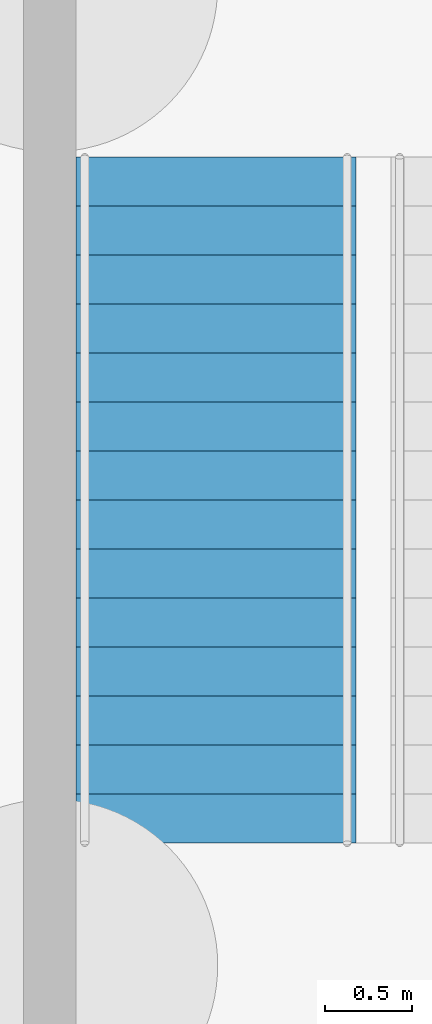
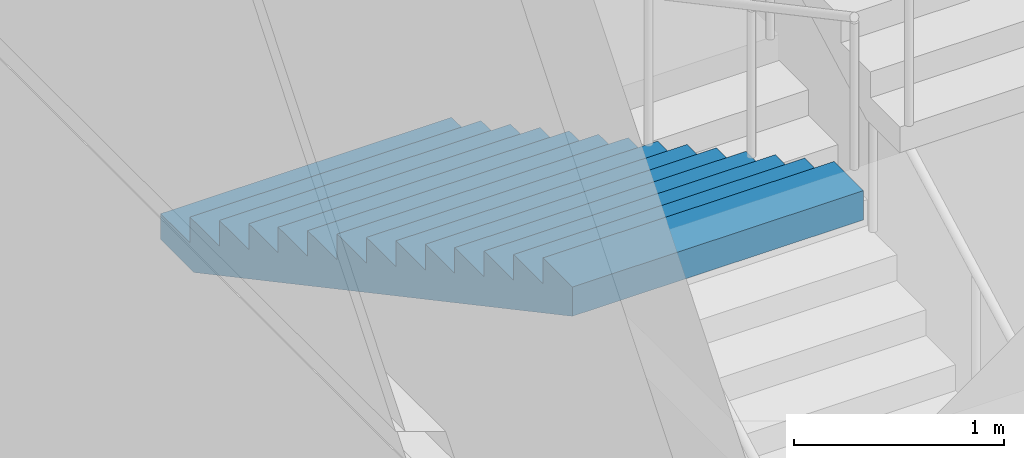
# One storey, part 92 of 113: 1 stair flight, 1 element without a shape of its own.
"""IFC4 building model written with IfcOpenShell, lengths in metres."""

from ifc_helpers import new_model, si_unit, direction, frame, origin, place, context, subcontext, project, spatial, triangles, material, type_object, element, aggregate, save


model = new_model("IFC4")

# Units and contexts
model_context = context("Model", 3, precision=1e-05, world=origin(), true_north=direction((0.0, 1.0)))
body_context = subcontext(model_context, "Body", "Model", "MODEL_VIEW")
ifc_project = project(units=[si_unit("LENGTHUNIT", "METRE"), si_unit("AREAUNIT", "SQUARE_METRE"), si_unit("VOLUMEUNIT", "CUBIC_METRE"), si_unit("PLANEANGLEUNIT", "RADIAN"), si_unit("MASSUNIT", "GRAM", prefix="KILO")], contexts=[model_context])

# Site, building, storey
site_placement = place(None, origin())
site = spatial("IfcSite", under=ifc_project, at=site_placement, CompositionType="ELEMENT")
building_placement = place(site_placement, origin())
building = spatial("IfcBuilding", under=site, at=building_placement, Name="Hakoniwa Tower and Hamabe Station Hall", CompositionType="ELEMENT")
storey_placement = place(building_placement, origin())
storey = spatial("IfcBuildingStorey", under=building, at=storey_placement, Name="L01", CompositionType="ELEMENT", Elevation=0.0)

# Stair, stair flight
ifc_material_1 = material(Name="Concrete C40", Category="concrete")
stair_type = type_object("IfcStairType", Name="STAIR 1600 15X150", PredefinedType="HALF_TURN_STAIR", material=ifc_material_1)
stair_placement = place(storey_placement, origin())
stair = element("IfcStair", 1, at=stair_placement, inside=storey, type_object=stair_type, Name="Escape stair SS1 L01", PredefinedType="HALF_TURN_STAIR")
ifc_material_2 = material(Name="Concrete C40", Category="concrete")
stair_flight_type = type_object("IfcStairFlightType", Name="STAIR FLIGHT 1600", PredefinedType="STRAIGHT", material=ifc_material_2)
stair_flight_placement = place(storey_placement, frame((87.449951171875, 20.820068359375, 2.25), z_axis=(0.0, 0.0, 1.0), x_axis=(0.0, -1.0, 0.0)))
stair_flight = element("IfcStairFlight", 2, at=stair_flight_placement, type_object=stair_flight_type, Name="SS1 flight 2", NumberOfRisers=15, NumberOfTreads=14, PredefinedType="STRAIGHT", RiserHeight=0.15, TreadLength=0.28, context=body_context, shape_type="Tessellation", body=[
    triangles([(0.0, 0.800048828125, 0.0), (0.280029296875, 0.800048828125, 0.0), (0.3173828125, 0.800048828125, 0.0), (0.56005859375, 0.800048828125, 0.1298828125), (0.840087890625, 0.800048828125, 0.280029296875), (1.1201171875, 0.800048828125, 0.429931640625), (1.39990234375, 0.800048828125, 0.579833984375), (1.679931640625, 0.800048828125, 0.72998046875), (1.9599609375, 0.800048828125, 0.8798828125), (2.239990234375, 0.800048828125, 1.030029296875), (2.52001953125, 0.800048828125, 1.179931640625), (2.800048828125, 0.800048828125, 1.329833984375), (3.080078125, 0.800048828125, 1.47998046875), (3.360107421875, 0.800048828125, 1.6298828125), (3.639892578125, 0.800048828125, 1.780029296875), (3.919921875, 0.800048828125, 1.929931640625), (3.919921875, 0.800048828125, 2.10009765625), (3.639892578125, 0.800048828125, 2.10009765625), (3.639892578125, 0.800048828125, 1.949951171875), (3.360107421875, 0.800048828125, 1.949951171875), (3.360107421875, 0.800048828125, 1.800048828125), (3.080078125, 0.800048828125, 1.800048828125), (3.080078125, 0.800048828125, 1.64990234375), (2.800048828125, 0.800048828125, 1.64990234375), (2.800048828125, 0.800048828125, 1.5), (2.52001953125, 0.800048828125, 1.5), (2.52001953125, 0.800048828125, 1.35009765625), (2.239990234375, 0.800048828125, 1.35009765625), (2.239990234375, 0.800048828125, 1.199951171875), (1.9599609375, 0.800048828125, 1.199951171875), (1.9599609375, 0.800048828125, 1.050048828125), (1.679931640625, 0.800048828125, 1.050048828125), (1.679931640625, 0.800048828125, 0.89990234375), (1.39990234375, 0.800048828125, 0.89990234375), (1.39990234375, 0.800048828125, 0.75), (1.1201171875, 0.800048828125, 0.75), (1.1201171875, 0.800048828125, 0.60009765625), (0.840087890625, 0.800048828125, 0.60009765625), (0.840087890625, 0.800048828125, 0.449951171875), (0.56005859375, 0.800048828125, 0.449951171875), (0.56005859375, 0.800048828125, 0.300048828125), (0.3173828125, 0.800048828125, 0.300048828125), (0.280029296875, 0.800048828125, 0.300048828125), (0.280029296875, 0.800048828125, 0.14990234375), (0.0, 0.800048828125, 0.14990234375), (0.0, 0.06005859375, 0.0), (0.280029296875, 0.06005859375, 0.0), (0.3173828125, 0.06005859375, 0.0), (0.56005859375, 0.06005859375, 0.1298828125), (0.840087890625, 0.06005859375, 0.280029296875), (1.1201171875, 0.06005859375, 0.429931640625), (1.39990234375, 0.06005859375, 0.579833984375), (1.679931640625, 0.06005859375, 0.72998046875), (1.9599609375, 0.06005859375, 0.8798828125), (2.239990234375, 0.06005859375, 1.030029296875), (2.52001953125, 0.06005859375, 1.179931640625), (2.800048828125, 0.06005859375, 1.329833984375), (3.080078125, 0.06005859375, 1.47998046875), (3.360107421875, 0.06005859375, 1.6298828125), (3.639892578125, 0.06005859375, 1.780029296875), (3.919921875, 0.06005859375, 1.929931640625), (3.919921875, 0.06005859375, 2.10009765625), (3.639892578125, 0.06005859375, 2.10009765625), (3.639892578125, 0.06005859375, 1.949951171875), (3.360107421875, 0.06005859375, 1.949951171875), (3.360107421875, 0.06005859375, 1.800048828125), (3.080078125, 0.06005859375, 1.800048828125), (3.080078125, 0.06005859375, 1.64990234375), (2.800048828125, 0.06005859375, 1.64990234375), (2.800048828125, 0.06005859375, 1.5), (2.52001953125, 0.06005859375, 1.5), (2.52001953125, 0.06005859375, 1.35009765625), (2.239990234375, 0.06005859375, 1.35009765625), (2.239990234375, 0.06005859375, 1.199951171875), (1.9599609375, 0.06005859375, 1.199951171875), (1.9599609375, 0.06005859375, 1.050048828125), (1.679931640625, 0.06005859375, 1.050048828125), (1.679931640625, 0.06005859375, 0.89990234375), (1.39990234375, 0.06005859375, 0.89990234375), (1.39990234375, 0.06005859375, 0.75), (1.1201171875, 0.06005859375, 0.75), (1.1201171875, 0.06005859375, 0.60009765625), (0.840087890625, 0.06005859375, 0.60009765625), (0.840087890625, 0.06005859375, 0.449951171875), (0.56005859375, 0.06005859375, 0.449951171875), (0.56005859375, 0.06005859375, 0.300048828125), (0.3173828125, 0.06005859375, 0.300048828125), (0.280029296875, 0.06005859375, 0.300048828125), (0.280029296875, 0.06005859375, 0.14990234375), (0.0, 0.06005859375, 0.14990234375), (0.0, 0.02001953125, 0.0), (0.280029296875, 0.02001953125, 0.0), (0.3173828125, 0.02001953125, 0.0), (0.56005859375, 0.02001953125, 0.1298828125), (0.840087890625, 0.02001953125, 0.280029296875), (1.1201171875, 0.02001953125, 0.429931640625), (1.39990234375, 0.02001953125, 0.579833984375), (1.679931640625, 0.02001953125, 0.72998046875), (1.9599609375, 0.02001953125, 0.8798828125), (2.239990234375, 0.02001953125, 1.030029296875), (2.52001953125, 0.02001953125, 1.179931640625), (2.800048828125, 0.02001953125, 1.329833984375), (3.080078125, 0.02001953125, 1.47998046875), (3.360107421875, 0.02001953125, 1.6298828125), (3.639892578125, 0.02001953125, 1.780029296875), (3.919921875, 0.02001953125, 1.929931640625), (3.919921875, 0.02001953125, 2.10009765625), (3.639892578125, 0.02001953125, 2.10009765625), (3.639892578125, 0.02001953125, 1.949951171875), (3.360107421875, 0.02001953125, 1.949951171875), (3.360107421875, 0.02001953125, 1.800048828125), (3.080078125, 0.02001953125, 1.800048828125), (3.080078125, 0.02001953125, 1.64990234375), (2.800048828125, 0.02001953125, 1.64990234375), (2.800048828125, 0.02001953125, 1.5), (2.52001953125, 0.02001953125, 1.5), (2.52001953125, 0.02001953125, 1.35009765625), (2.239990234375, 0.02001953125, 1.35009765625), (2.239990234375, 0.02001953125, 1.199951171875), (1.9599609375, 0.02001953125, 1.199951171875), (1.9599609375, 0.02001953125, 1.050048828125), (1.679931640625, 0.02001953125, 1.050048828125), (1.679931640625, 0.02001953125, 0.89990234375), (1.39990234375, 0.02001953125, 0.89990234375), (1.39990234375, 0.02001953125, 0.75), (1.1201171875, 0.02001953125, 0.75), (1.1201171875, 0.02001953125, 0.60009765625), (0.840087890625, 0.02001953125, 0.60009765625), (0.840087890625, 0.02001953125, 0.449951171875), (0.56005859375, 0.02001953125, 0.449951171875), (0.56005859375, 0.02001953125, 0.300048828125), (0.3173828125, 0.02001953125, 0.300048828125), (0.280029296875, 0.02001953125, 0.300048828125), (0.280029296875, 0.02001953125, 0.14990234375), (0.0, 0.02001953125, 0.14990234375), (0.0, -0.02001953125, 0.0), (0.280029296875, -0.02001953125, 0.0), (0.3173828125, -0.02001953125, 0.0), (0.56005859375, -0.02001953125, 0.1298828125), (0.840087890625, -0.02001953125, 0.280029296875), (1.1201171875, -0.02001953125, 0.429931640625), (1.39990234375, -0.02001953125, 0.579833984375), (1.679931640625, -0.02001953125, 0.72998046875), (1.9599609375, -0.02001953125, 0.8798828125), (2.239990234375, -0.02001953125, 1.030029296875), (2.52001953125, -0.02001953125, 1.179931640625), (2.800048828125, -0.02001953125, 1.329833984375), (3.080078125, -0.02001953125, 1.47998046875), (3.360107421875, -0.02001953125, 1.6298828125), (3.639892578125, -0.02001953125, 1.780029296875), (3.919921875, -0.02001953125, 1.929931640625), (3.919921875, -0.02001953125, 2.10009765625), (3.639892578125, -0.02001953125, 2.10009765625), (3.639892578125, -0.02001953125, 1.949951171875), (3.360107421875, -0.02001953125, 1.949951171875), (3.360107421875, -0.02001953125, 1.800048828125), (3.080078125, -0.02001953125, 1.800048828125), (3.080078125, -0.02001953125, 1.64990234375), (2.800048828125, -0.02001953125, 1.64990234375), (2.800048828125, -0.02001953125, 1.5), (2.52001953125, -0.02001953125, 1.5), (2.52001953125, -0.02001953125, 1.35009765625), (2.239990234375, -0.02001953125, 1.35009765625), (2.239990234375, -0.02001953125, 1.199951171875), (1.9599609375, -0.02001953125, 1.199951171875), (1.9599609375, -0.02001953125, 1.050048828125), (1.679931640625, -0.02001953125, 1.050048828125), (1.679931640625, -0.02001953125, 0.89990234375), (1.39990234375, -0.02001953125, 0.89990234375), (1.39990234375, -0.02001953125, 0.75), (1.1201171875, -0.02001953125, 0.75), (1.1201171875, -0.02001953125, 0.60009765625), (0.840087890625, -0.02001953125, 0.60009765625), (0.840087890625, -0.02001953125, 0.449951171875), (0.56005859375, -0.02001953125, 0.449951171875), (0.56005859375, -0.02001953125, 0.300048828125), (0.3173828125, -0.02001953125, 0.300048828125), (0.280029296875, -0.02001953125, 0.300048828125), (0.280029296875, -0.02001953125, 0.14990234375), (0.0, -0.02001953125, 0.14990234375), (0.0, -0.06005859375, 0.0), (0.280029296875, -0.06005859375, 0.0), (0.3173828125, -0.06005859375, 0.0), (0.56005859375, -0.06005859375, 0.1298828125), (0.840087890625, -0.06005859375, 0.280029296875), (1.1201171875, -0.06005859375, 0.429931640625), (1.39990234375, -0.06005859375, 0.579833984375), (1.679931640625, -0.06005859375, 0.72998046875), (1.9599609375, -0.06005859375, 0.8798828125), (2.239990234375, -0.06005859375, 1.030029296875), (2.52001953125, -0.06005859375, 1.179931640625), (2.800048828125, -0.06005859375, 1.329833984375), (3.080078125, -0.06005859375, 1.47998046875), (3.360107421875, -0.06005859375, 1.6298828125), (3.639892578125, -0.06005859375, 1.780029296875), (3.919921875, -0.06005859375, 1.929931640625), (3.919921875, -0.06005859375, 2.10009765625), (3.639892578125, -0.06005859375, 2.10009765625), (3.639892578125, -0.06005859375, 1.949951171875), (3.360107421875, -0.06005859375, 1.949951171875), (3.360107421875, -0.06005859375, 1.800048828125), (3.080078125, -0.06005859375, 1.800048828125), (3.080078125, -0.06005859375, 1.64990234375), (2.800048828125, -0.06005859375, 1.64990234375), (2.800048828125, -0.06005859375, 1.5), (2.52001953125, -0.06005859375, 1.5), (2.52001953125, -0.06005859375, 1.35009765625), (2.239990234375, -0.06005859375, 1.35009765625), (2.239990234375, -0.06005859375, 1.199951171875), (1.9599609375, -0.06005859375, 1.199951171875), (1.9599609375, -0.06005859375, 1.050048828125), (1.679931640625, -0.06005859375, 1.050048828125), (1.679931640625, -0.06005859375, 0.89990234375), (1.39990234375, -0.06005859375, 0.89990234375), (1.39990234375, -0.06005859375, 0.75), (1.1201171875, -0.06005859375, 0.75), (1.1201171875, -0.06005859375, 0.60009765625), (0.840087890625, -0.06005859375, 0.60009765625), (0.840087890625, -0.06005859375, 0.449951171875), (0.56005859375, -0.06005859375, 0.449951171875), (0.56005859375, -0.06005859375, 0.300048828125), (0.3173828125, -0.06005859375, 0.300048828125), (0.280029296875, -0.06005859375, 0.300048828125), (0.280029296875, -0.06005859375, 0.14990234375), (0.0, -0.06005859375, 0.14990234375), (0.0, -0.800048828125, 0.0), (0.280029296875, -0.800048828125, 0.0), (0.3173828125, -0.800048828125, 0.0), (0.56005859375, -0.800048828125, 0.1298828125), (0.840087890625, -0.800048828125, 0.280029296875), (1.1201171875, -0.800048828125, 0.429931640625), (1.39990234375, -0.800048828125, 0.579833984375), (1.679931640625, -0.800048828125, 0.72998046875), (1.9599609375, -0.800048828125, 0.8798828125), (2.239990234375, -0.800048828125, 1.030029296875), (2.52001953125, -0.800048828125, 1.179931640625), (2.800048828125, -0.800048828125, 1.329833984375), (3.080078125, -0.800048828125, 1.47998046875), (3.360107421875, -0.800048828125, 1.6298828125), (3.639892578125, -0.800048828125, 1.780029296875), (3.919921875, -0.800048828125, 1.929931640625), (3.919921875, -0.800048828125, 2.10009765625), (3.639892578125, -0.800048828125, 2.10009765625), (3.639892578125, -0.800048828125, 1.949951171875), (3.360107421875, -0.800048828125, 1.949951171875), (3.360107421875, -0.800048828125, 1.800048828125), (3.080078125, -0.800048828125, 1.800048828125), (3.080078125, -0.800048828125, 1.64990234375), (2.800048828125, -0.800048828125, 1.64990234375), (2.800048828125, -0.800048828125, 1.5), (2.52001953125, -0.800048828125, 1.5), (2.52001953125, -0.800048828125, 1.35009765625), (2.239990234375, -0.800048828125, 1.35009765625), (2.239990234375, -0.800048828125, 1.199951171875), (1.9599609375, -0.800048828125, 1.199951171875), (1.9599609375, -0.800048828125, 1.050048828125), (1.679931640625, -0.800048828125, 1.050048828125), (1.679931640625, -0.800048828125, 0.89990234375), (1.39990234375, -0.800048828125, 0.89990234375), (1.39990234375, -0.800048828125, 0.75), (1.1201171875, -0.800048828125, 0.75), (1.1201171875, -0.800048828125, 0.60009765625), (0.840087890625, -0.800048828125, 0.60009765625), (0.840087890625, -0.800048828125, 0.449951171875), (0.56005859375, -0.800048828125, 0.449951171875), (0.56005859375, -0.800048828125, 0.300048828125), (0.3173828125, -0.800048828125, 0.300048828125), (0.280029296875, -0.800048828125, 0.300048828125), (0.280029296875, -0.800048828125, 0.14990234375), (0.0, -0.800048828125, 0.14990234375)], [[2, 45, 44], [227, 269, 270], [2, 1, 45], [227, 270, 226], [3, 43, 42], [228, 267, 268], [3, 44, 43], [228, 268, 269], [3, 2, 44], [228, 269, 227], [4, 42, 41], [229, 266, 267], [4, 3, 42], [229, 267, 228], [5, 40, 39], [230, 264, 265], [5, 41, 40], [230, 265, 266], [5, 4, 41], [230, 266, 229], [6, 38, 37], [231, 262, 263], [6, 39, 38], [231, 263, 264], [6, 5, 39], [231, 264, 230], [7, 36, 35], [232, 260, 261], [7, 37, 36], [232, 261, 262], [7, 6, 37], [232, 262, 231], [8, 34, 33], [233, 258, 259], [8, 35, 34], [233, 259, 260], [8, 7, 35], [233, 260, 232], [9, 32, 31], [234, 256, 257], [9, 33, 32], [234, 257, 258], [9, 8, 33], [234, 258, 233], [10, 30, 29], [235, 254, 255], [10, 31, 30], [235, 255, 256], [10, 9, 31], [235, 256, 234], [11, 28, 27], [236, 252, 253], [11, 29, 28], [236, 253, 254], [11, 10, 29], [236, 254, 235], [12, 26, 25], [237, 250, 251], [12, 27, 26], [237, 251, 252], [12, 11, 27], [237, 252, 236], [13, 24, 23], [238, 248, 249], [13, 25, 24], [238, 249, 250], [13, 12, 25], [238, 250, 237], [14, 22, 21], [239, 246, 247], [14, 23, 22], [239, 247, 248], [14, 13, 23], [239, 248, 238], [15, 20, 19], [240, 244, 245], [15, 21, 20], [240, 245, 246], [15, 14, 21], [240, 246, 239], [16, 18, 17], [241, 242, 243], [16, 19, 18], [241, 243, 244], [16, 15, 19], [241, 244, 240], [1, 2, 47], [1, 47, 46], [46, 47, 92], [46, 92, 91], [91, 92, 137], [91, 137, 136], [136, 137, 182], [136, 182, 181], [181, 182, 227], [181, 227, 226], [2, 3, 48], [2, 48, 47], [47, 48, 93], [47, 93, 92], [92, 93, 138], [92, 138, 137], [137, 138, 183], [137, 183, 182], [182, 183, 228], [182, 228, 227], [3, 4, 49], [3, 49, 48], [48, 49, 94], [48, 94, 93], [93, 94, 139], [93, 139, 138], [138, 139, 184], [138, 184, 183], [183, 184, 229], [183, 229, 228], [4, 5, 50], [4, 50, 49], [49, 50, 95], [49, 95, 94], [94, 95, 140], [94, 140, 139], [139, 140, 185], [139, 185, 184], [184, 185, 230], [184, 230, 229], [5, 6, 51], [5, 51, 50], [50, 51, 96], [50, 96, 95], [95, 96, 141], [95, 141, 140], [140, 141, 186], [140, 186, 185], [185, 186, 231], [185, 231, 230], [6, 7, 52], [6, 52, 51], [51, 52, 97], [51, 97, 96], [96, 97, 142], [96, 142, 141], [141, 142, 187], [141, 187, 186], [186, 187, 232], [186, 232, 231], [7, 8, 53], [7, 53, 52], [52, 53, 98], [52, 98, 97], [97, 98, 143], [97, 143, 142], [142, 143, 188], [142, 188, 187], [187, 188, 233], [187, 233, 232], [8, 9, 54], [8, 54, 53], [53, 54, 99], [53, 99, 98], [98, 99, 144], [98, 144, 143], [143, 144, 189], [143, 189, 188], [188, 189, 234], [188, 234, 233], [9, 10, 55], [9, 55, 54], [54, 55, 100], [54, 100, 99], [99, 100, 145], [99, 145, 144], [144, 145, 190], [144, 190, 189], [189, 190, 235], [189, 235, 234], [10, 11, 56], [10, 56, 55], [55, 56, 101], [55, 101, 100], [100, 101, 146], [100, 146, 145], [145, 146, 191], [145, 191, 190], [190, 191, 236], [190, 236, 235], [11, 12, 57], [11, 57, 56], [56, 57, 102], [56, 102, 101], [101, 102, 147], [101, 147, 146], [146, 147, 192], [146, 192, 191], [191, 192, 237], [191, 237, 236], [12, 13, 58], [12, 58, 57], [57, 58, 103], [57, 103, 102], [102, 103, 148], [102, 148, 147], [147, 148, 193], [147, 193, 192], [192, 193, 238], [192, 238, 237], [13, 14, 59], [13, 59, 58], [58, 59, 104], [58, 104, 103], [103, 104, 149], [103, 149, 148], [148, 149, 194], [148, 194, 193], [193, 194, 239], [193, 239, 238], [14, 15, 60], [14, 60, 59], [59, 60, 105], [59, 105, 104], [104, 105, 150], [104, 150, 149], [149, 150, 195], [149, 195, 194], [194, 195, 240], [194, 240, 239], [15, 16, 61], [15, 61, 60], [60, 61, 106], [60, 106, 105], [105, 106, 151], [105, 151, 150], [150, 151, 196], [150, 196, 195], [195, 196, 241], [195, 241, 240], [16, 17, 62], [16, 62, 61], [61, 62, 107], [61, 107, 106], [106, 107, 152], [106, 152, 151], [151, 152, 197], [151, 197, 196], [196, 197, 242], [196, 242, 241], [17, 18, 63], [17, 63, 62], [62, 63, 108], [62, 108, 107], [107, 108, 153], [107, 153, 152], [152, 153, 198], [152, 198, 197], [197, 198, 243], [197, 243, 242], [18, 19, 64], [18, 64, 63], [63, 64, 109], [63, 109, 108], [108, 109, 154], [108, 154, 153], [153, 154, 199], [153, 199, 198], [198, 199, 244], [198, 244, 243], [19, 20, 65], [19, 65, 64], [64, 65, 110], [64, 110, 109], [109, 110, 155], [109, 155, 154], [154, 155, 200], [154, 200, 199], [199, 200, 245], [199, 245, 244], [20, 21, 66], [20, 66, 65], [65, 66, 111], [65, 111, 110], [110, 111, 156], [110, 156, 155], [155, 156, 201], [155, 201, 200], [200, 201, 246], [200, 246, 245], [21, 22, 67], [21, 67, 66], [66, 67, 112], [66, 112, 111], [111, 112, 157], [111, 157, 156], [156, 157, 202], [156, 202, 201], [201, 202, 247], [201, 247, 246], [22, 23, 68], [22, 68, 67], [67, 68, 113], [67, 113, 112], [112, 113, 158], [112, 158, 157], [157, 158, 203], [157, 203, 202], [202, 203, 248], [202, 248, 247], [23, 24, 69], [23, 69, 68], [68, 69, 114], [68, 114, 113], [113, 114, 159], [113, 159, 158], [158, 159, 204], [158, 204, 203], [203, 204, 249], [203, 249, 248], [24, 25, 70], [24, 70, 69], [69, 70, 115], [69, 115, 114], [114, 115, 160], [114, 160, 159], [159, 160, 205], [159, 205, 204], [204, 205, 250], [204, 250, 249], [25, 26, 71], [25, 71, 70], [70, 71, 116], [70, 116, 115], [115, 116, 161], [115, 161, 160], [160, 161, 206], [160, 206, 205], [205, 206, 251], [205, 251, 250], [26, 27, 72], [26, 72, 71], [71, 72, 117], [71, 117, 116], [116, 117, 162], [116, 162, 161], [161, 162, 207], [161, 207, 206], [206, 207, 252], [206, 252, 251], [27, 28, 73], [27, 73, 72], [72, 73, 118], [72, 118, 117], [117, 118, 163], [117, 163, 162], [162, 163, 208], [162, 208, 207], [207, 208, 253], [207, 253, 252], [28, 29, 74], [28, 74, 73], [73, 74, 119], [73, 119, 118], [118, 119, 164], [118, 164, 163], [163, 164, 209], [163, 209, 208], [208, 209, 254], [208, 254, 253], [29, 30, 75], [29, 75, 74], [74, 75, 120], [74, 120, 119], [119, 120, 165], [119, 165, 164], [164, 165, 210], [164, 210, 209], [209, 210, 255], [209, 255, 254], [30, 31, 76], [30, 76, 75], [75, 76, 121], [75, 121, 120], [120, 121, 166], [120, 166, 165], [165, 166, 211], [165, 211, 210], [210, 211, 256], [210, 256, 255], [31, 32, 77], [31, 77, 76], [76, 77, 122], [76, 122, 121], [121, 122, 167], [121, 167, 166], [166, 167, 212], [166, 212, 211], [211, 212, 257], [211, 257, 256], [32, 33, 78], [32, 78, 77], [77, 78, 123], [77, 123, 122], [122, 123, 168], [122, 168, 167], [167, 168, 213], [167, 213, 212], [212, 213, 258], [212, 258, 257], [33, 34, 79], [33, 79, 78], [78, 79, 124], [78, 124, 123], [123, 124, 169], [123, 169, 168], [168, 169, 214], [168, 214, 213], [213, 214, 259], [213, 259, 258], [34, 35, 80], [34, 80, 79], [79, 80, 125], [79, 125, 124], [124, 125, 170], [124, 170, 169], [169, 170, 215], [169, 215, 214], [214, 215, 260], [214, 260, 259], [35, 36, 81], [35, 81, 80], [80, 81, 126], [80, 126, 125], [125, 126, 171], [125, 171, 170], [170, 171, 216], [170, 216, 215], [215, 216, 261], [215, 261, 260], [36, 37, 82], [36, 82, 81], [81, 82, 127], [81, 127, 126], [126, 127, 172], [126, 172, 171], [171, 172, 217], [171, 217, 216], [216, 217, 262], [216, 262, 261], [37, 38, 83], [37, 83, 82], [82, 83, 128], [82, 128, 127], [127, 128, 173], [127, 173, 172], [172, 173, 218], [172, 218, 217], [217, 218, 263], [217, 263, 262], [38, 39, 84], [38, 84, 83], [83, 84, 129], [83, 129, 128], [128, 129, 174], [128, 174, 173], [173, 174, 219], [173, 219, 218], [218, 219, 264], [218, 264, 263], [39, 40, 85], [39, 85, 84], [84, 85, 130], [84, 130, 129], [129, 130, 175], [129, 175, 174], [174, 175, 220], [174, 220, 219], [219, 220, 265], [219, 265, 264], [40, 41, 86], [40, 86, 85], [85, 86, 131], [85, 131, 130], [130, 131, 176], [130, 176, 175], [175, 176, 221], [175, 221, 220], [220, 221, 266], [220, 266, 265], [41, 42, 87], [41, 87, 86], [86, 87, 132], [86, 132, 131], [131, 132, 177], [131, 177, 176], [176, 177, 222], [176, 222, 221], [221, 222, 267], [221, 267, 266], [42, 43, 88], [42, 88, 87], [87, 88, 133], [87, 133, 132], [132, 133, 178], [132, 178, 177], [177, 178, 223], [177, 223, 222], [222, 223, 268], [222, 268, 267], [43, 44, 89], [43, 89, 88], [88, 89, 134], [88, 134, 133], [133, 134, 179], [133, 179, 178], [178, 179, 224], [178, 224, 223], [223, 224, 269], [223, 269, 268], [44, 45, 90], [44, 90, 89], [89, 90, 135], [89, 135, 134], [134, 135, 180], [134, 180, 179], [179, 180, 225], [179, 225, 224], [224, 225, 270], [224, 270, 269], [45, 1, 46], [45, 46, 90], [90, 46, 91], [90, 91, 135], [135, 91, 136], [135, 136, 180], [180, 136, 181], [180, 181, 225], [225, 181, 226], [225, 226, 270]], closed=True),
])
aggregate(stair, [stair_flight])

save(model, "model.ifc")
